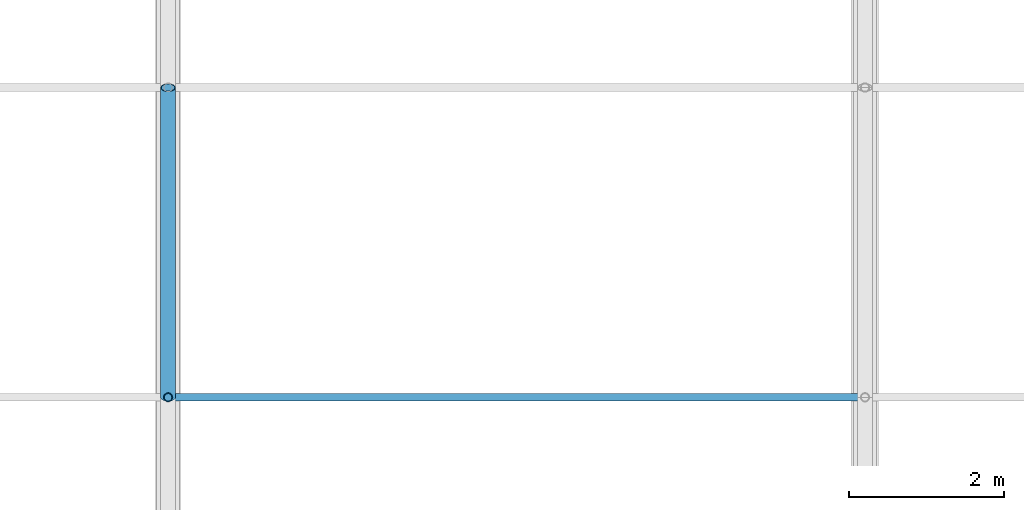
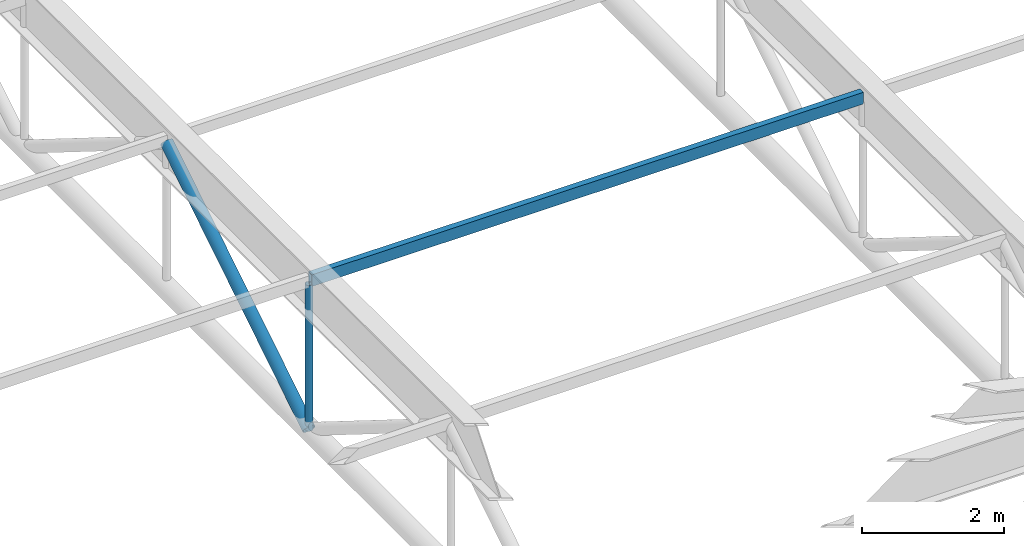
# One storey, part 30 of 91: 3 members.
"""IFC4 building model written with IfcOpenShell, lengths in metres."""

from ifc_helpers import new_model, si_unit, direction, frame, origin, origin_2d, place, context, subcontext, project, spatial, hollow_rectangle, hollow_circle, extrude, material, material_profile, profile_set, type_object, element, save


model = new_model("IFC4")

# Units and contexts
model_context = context("Model", 3, precision=1e-05, world=origin(), true_north=direction((0.0, 1.0)))
body_context = subcontext(model_context, "Body", "Model", "MODEL_VIEW")
ifc_project = project(units=[si_unit("LENGTHUNIT", "METRE"), si_unit("AREAUNIT", "SQUARE_METRE"), si_unit("VOLUMEUNIT", "CUBIC_METRE"), si_unit("PLANEANGLEUNIT", "RADIAN"), si_unit("MASSUNIT", "GRAM", prefix="KILO")], contexts=[model_context])

# Site, building, storey
site_placement = place(None, origin())
site = spatial("IfcSite", under=ifc_project, at=site_placement, CompositionType="ELEMENT")
building_placement = place(site_placement, origin())
building = spatial("IfcBuilding", under=site, at=building_placement, Name="Palais des Congres Ocreval", CompositionType="ELEMENT")
storey_placement = place(building_placement, frame((0.0, 0.0, 8.159912109375)))
storey = spatial("IfcBuildingStorey", under=building, at=storey_placement, Name="L02", CompositionType="ELEMENT", Elevation=8.159912109375)

# Members
ifc_material = material(Name="Steel S355", Category="steel")
ifc_material_profile_1 = material_profile(ifc_material, hollow_circle(Radius=0.096923828125, WallThickness=0.010009765625, at=origin_2d()), Name="CHS 193.7x10")
ifc_profile_set_1 = profile_set([ifc_material_profile_1], Name="Steel S355")
member_type_1 = type_object("IfcMemberType", Name="Diagonal Brace CHS 193.7x10 Steel S355", PredefinedType="BRACE", material=ifc_profile_set_1)
member_1_placement = place(storey_placement, frame((18.0, 98.0, 0.2900390625), z_axis=(0.0, 0.847998304005, 0.529998940003), x_axis=(-1.0, 0.0, 0.0)))
element("IfcMember", 1, at=member_1_placement, inside=storey, type_object=member_type_1, Name="ROOF TRUSS Diagonal V1-18-3", PredefinedType="BRACE", context=body_context, shape_type="SweptSolid", body=[
    extrude(hollow_circle(Radius=0.096923828125, WallThickness=0.010009765625, at=origin_2d()), origin(), (0.0, 0.0, 1.0), 4.717041015625),
])
ifc_material_profile_2 = material_profile(ifc_material, hollow_rectangle(XDim=0.10009765625, YDim=0.199951171875, WallThickness=0.010009765625, at=origin_2d()), Name="RHS 200x100x10")
ifc_profile_set_2 = profile_set([ifc_material_profile_2], Name="Steel S355")
member_type_2 = type_object("IfcMemberType", Name="Roof Purlin RHS 200x100x10 Steel S355", PredefinedType="PURLIN", material=ifc_profile_set_2)
member_2_placement = place(storey_placement, frame((18.02001953125, 98.0, 2.860107421875), z_axis=(1.0, 0.0, 0.0), x_axis=(0.0, 1.0, 0.0)))
element("IfcMember", 2, at=member_2_placement, inside=storey, type_object=member_type_2, Name="Roof Purlin PU02 V1", PredefinedType="PURLIN", context=body_context, shape_type="SweptSolid", body=[
    extrude(hollow_rectangle(XDim=0.10009765625, YDim=0.199951171875, WallThickness=0.010009765625, at=origin_2d()), origin(), (0.0, 0.0, 1.0), 8.9599609375),
])
ifc_material_profile_3 = material_profile(ifc_material, hollow_circle(Radius=0.05712890625, WallThickness=0.00634765625, at=origin_2d()), Name="CHS 114.3x6.3")
ifc_profile_set_3 = profile_set([ifc_material_profile_3], Name="Steel S355")
member_type_3 = type_object("IfcMemberType", Name="Truss Strut CHS 114.3x6.3 Steel S355", PredefinedType="STRUT", material=ifc_profile_set_3)
member_3_placement = place(storey_placement, frame((18.0, 98.0, 0.2900390625), z_axis=(0.0, 0.0, 1.0), x_axis=(1.0, 0.0, 0.0)))
element("IfcMember", 3, at=member_3_placement, inside=storey, type_object=member_type_3, Name="ROOF TRUSS Vertical Strut V1-18-2", PredefinedType="STRUT", context=body_context, shape_type="SweptSolid", body=[
    extrude(hollow_circle(Radius=0.05712890625, WallThickness=0.00634765625, at=origin_2d()), origin(), (0.0, 0.0, 1.0), 2.5),
])

save(model, "model.ifc")
